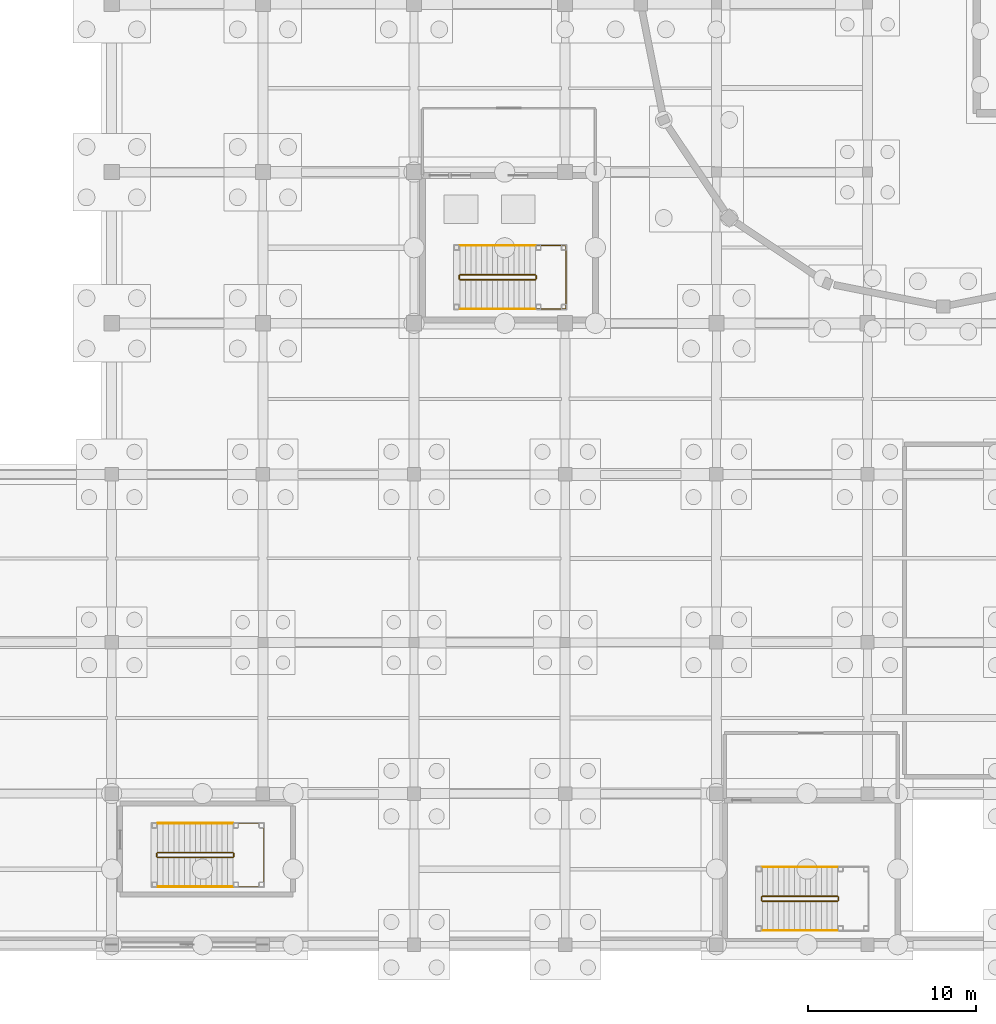
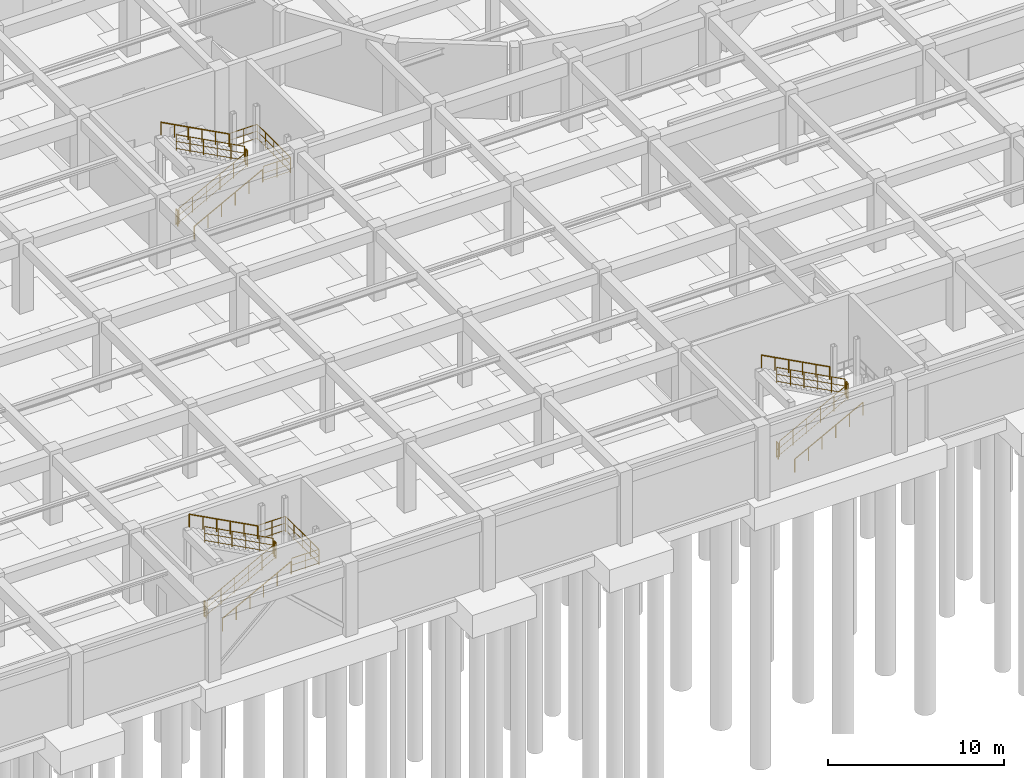
# One storey, part 53 of 62: 20 railings.
"""IFC4 building model written with IfcOpenShell, lengths in metres."""

import ifcopenshell
import ifcopenshell.guid

model = None  # the IFC model being written
_history = None  # IfcOwnerHistory: only IFC2X3 demands one
_inside = {}  # id of a spatial element -> (the spatial element, [elements in it])
_under = {}  # id of a project, library or spatial element -> (it, [spatial elements below it])
_declared = {}  # id of a project -> (the project, [libraries it declares])
_typed = {}  # id of a type object -> (the type object, [elements of that type])
_made_of = {}  # id of a material, layer set ... -> (it, [elements and type objects made of it])


def new_model(schema):
    """Start an empty IFC model of exactly this schema.

    Asked for "IFC4X3", IfcOpenShell would pick the latest addendum, in which some entities
    have other attributes; the version numbers below select the first issue.
    IFC2X3 requires an IfcOwnerHistory on every rooted entity: one is made here for all.
    """
    global model, _history
    if schema == "IFC4X3":
        model = ifcopenshell.file(schema_version=(4, 3, 0, 0))
    else:
        model = ifcopenshell.file(schema=schema)
    _inside.clear()
    _under.clear()
    _declared.clear()
    _typed.clear()
    _made_of.clear()
    _history = None
    if model.schema == "IFC2X3":
        org = make("IfcOrganization", Name="unknown")
        user = make(
            "IfcPersonAndOrganization",
            ThePerson=make("IfcPerson", FamilyName="unknown"),
            TheOrganization=org,
        )
        app = make(
            "IfcApplication",
            ApplicationDeveloper=org,
            Version="unknown",
            ApplicationFullName="unknown",
            ApplicationIdentifier="unknown",
        )
        _history = make(
            "IfcOwnerHistory",
            OwningUser=user,
            OwningApplication=app,
            ChangeAction="ADDED",
            CreationDate=0,
        )
    return model


def make(cls, **values):
    """One entity of the class cls with the attributes given. An attribute that is None is left unset."""
    return model.create_entity(
        cls, **{name: value for name, value in values.items() if value is not None}
    )


def rooted(cls, **values):
    """An entity with a GlobalId (a new one), such as an element, a storey or a relation."""
    return make(cls, GlobalId=ifcopenshell.guid.new(), OwnerHistory=_history, **values)


def si_unit(unit_type, name, prefix=None):
    """IfcSIUnit, for example si_unit("LENGTHUNIT", "METRE", prefix="MILLI")."""
    return make("IfcSIUnit", UnitType=unit_type, Prefix=prefix, Name=name)


def assignment(units):
    """IfcUnitAssignment: the units of a project."""
    return None if units is None else make("IfcUnitAssignment", Units=units)


def point(xyz):
    """IfcCartesianPoint."""
    return None if xyz is None else make("IfcCartesianPoint", Coordinates=xyz)


def direction(xyz):
    """IfcDirection."""
    return None if xyz is None else make("IfcDirection", DirectionRatios=xyz)


def frame(location, z_axis=None, x_axis=None):
    """IfcAxis2Placement3D, a coordinate frame: its origin and axes. An axis left out is left unset."""
    return make(
        "IfcAxis2Placement3D",
        Location=point(location),
        Axis=direction(z_axis),
        RefDirection=direction(x_axis),
    )


def frame_2d(location, x_axis=None):
    """IfcAxis2Placement2D, a coordinate frame in the plane: its origin and x axis."""
    return make(
        "IfcAxis2Placement2D", Location=point(location), RefDirection=direction(x_axis)
    )


def origin():
    """The frame at (0, 0, 0) with its axes left unset."""
    return frame((0.0, 0.0, 0.0))


def origin_2d():
    """The frame at (0, 0) in the plane with its x axis left unset."""
    return frame_2d((0.0, 0.0))


def place(relative_to, where):
    """IfcLocalPlacement: puts the frame where relative to a parent placement (None: the world)."""
    return make(
        "IfcLocalPlacement", PlacementRelTo=relative_to, RelativePlacement=where
    )


def context(
    kind, dimensions, precision=None, world=None, true_north=None, identifier=None
):
    """IfcGeometricRepresentationContext, for example the 3D "Model" context."""
    return make(
        "IfcGeometricRepresentationContext",
        ContextIdentifier=identifier,
        ContextType=kind,
        CoordinateSpaceDimension=dimensions,
        Precision=precision,
        WorldCoordinateSystem=world,
        TrueNorth=true_north,
    )


def subcontext(parent, identifier, kind, view, scale=None):
    """IfcGeometricRepresentationSubContext, for example "Body" below "Model"."""
    return make(
        "IfcGeometricRepresentationSubContext",
        ContextIdentifier=identifier,
        ContextType=kind,
        ParentContext=parent,
        TargetScale=scale,
        TargetView=view,
    )


def project(units=None, contexts=None):
    """IfcProject with its units and contexts."""
    return rooted(
        "IfcProject",
        Name="project",
        RepresentationContexts=contexts,
        UnitsInContext=assignment(units),
    )


def spatial(cls, under=None, at=None, **own):
    """A site, building, storey or space (cls), placed at a placement, below another one or the project."""
    s = rooted(cls, ObjectPlacement=at, **own)
    if under is not None:
        _under.setdefault(under.id(), (under, []))[1].append(s)
    return s


def profile(cls, at=None, kind="AREA", **sizes):
    """A parametric profile (cls). Its sizes go by their IFC names, for example OverallWidth=200.0."""
    return make(cls, ProfileType=kind, Position=at, **sizes)


def circle(**sizes):
    """IfcCircleProfileDef."""
    return profile("IfcCircleProfileDef", **sizes)


def extrude(swept, where, along, depth):
    """IfcExtrudedAreaSolid: the profile swept, set in the frame where, extruded along a direction by depth."""
    return make(
        "IfcExtrudedAreaSolid",
        SweptArea=swept,
        Position=where,
        ExtrudedDirection=direction(along),
        Depth=depth,
    )


def shape(context_of_items, identifier, shape_type, items):
    """IfcShapeRepresentation: the items that make up one representation, for example the "Body"."""
    return make(
        "IfcShapeRepresentation",
        ContextOfItems=context_of_items,
        RepresentationIdentifier=identifier,
        RepresentationType=shape_type,
        Items=items,
    )


def material(Name=None, Category=None):
    """IfcMaterial."""
    return make("IfcMaterial", Name=Name, Category=Category)


def made_of(thing, what):
    """Note that an element or type object is made of a material, layer set ...; save() writes the relation."""
    if what is not None:
        _made_of.setdefault(what.id(), (what, []))[1].append(thing)
    return thing


def type_object(cls, material=None, **own):
    """A type object (cls), such as IfcWallType, which elements share."""
    return made_of(rooted(cls, **own), material)


def element(
    cls,
    number,
    at=None,
    inside=None,
    cuts=None,
    type_object=None,
    material=None,
    context=None,
    identifier="Body",
    shape_type=None,
    held_by="IfcProductDefinitionShape",
    body=None,
    shapes=None,
    **own,
):
    """One element of the class cls, such as IfcWall. Its Tag is "e" and its number.

    at: its placement. inside: the storey or other place that contains it. cuts: it is an
    opening in that element (IfcRelVoidsElement). A single representation is given by context,
    identifier, shape_type and body (its items); several are given by shapes. held_by: the class
    of the entity that holds the representations. save() writes the other relations.
    """
    e = rooted(cls, Tag="e%d" % number, ObjectPlacement=at, **own)
    if body is not None:
        shapes = [shape(context, identifier, shape_type, body)]
    if shapes is not None:
        e.Representation = make(held_by, Representations=shapes)
    if inside is not None:
        _inside.setdefault(inside.id(), (inside, []))[1].append(e)
    if cuts is not None:
        rooted(
            "IfcRelVoidsElement", RelatingBuildingElement=cuts, RelatedOpeningElement=e
        )
    if type_object is not None:
        _typed.setdefault(type_object.id(), (type_object, []))[1].append(e)
    return made_of(e, material)


def aggregate(whole, parts):
    """IfcRelAggregates: a whole, such as a stair, and the parts it consists of."""
    return rooted("IfcRelAggregates", RelatingObject=whole, RelatedObjects=parts)


def save(model, path):
    """Write the relations noted so far, then the file.

    IfcRelAggregates (storeys below a building ...), IfcRelContainedInSpatialStructure (elements
    in a storey), IfcRelDefinesByType, IfcRelAssociatesMaterial and IfcRelDeclares: one each for
    every whole, place, type object, material and project.
    """
    for whole, parts in _under.values():
        aggregate(whole, parts)
    for where, things in _inside.values():
        rooted(
            "IfcRelContainedInSpatialStructure",
            RelatedElements=things,
            RelatingStructure=where,
        )
    for kind, things in _typed.values():
        rooted("IfcRelDefinesByType", RelatedObjects=things, RelatingType=kind)
    for what, things in _made_of.values():
        rooted("IfcRelAssociatesMaterial", RelatedObjects=things, RelatingMaterial=what)
    for by, libraries in _declared.values():
        rooted("IfcRelDeclares", RelatingContext=by, RelatedDefinitions=libraries)
    model.write(path)


model = new_model("IFC4")

# Units and contexts
model_context = context("Model", 3, precision=1e-05, world=origin(), true_north=direction((0.0, 1.0)))
body_context = subcontext(model_context, "Body", "Model", "MODEL_VIEW")
ifc_project = project(units=[si_unit("LENGTHUNIT", "METRE"), si_unit("AREAUNIT", "SQUARE_METRE"), si_unit("VOLUMEUNIT", "CUBIC_METRE"), si_unit("PLANEANGLEUNIT", "RADIAN"), si_unit("MASSUNIT", "GRAM", prefix="KILO")], contexts=[model_context])

# Site, building, storey
site_placement = place(None, origin())
site = spatial("IfcSite", under=ifc_project, at=site_placement, CompositionType="ELEMENT")
building_placement = place(site_placement, origin())
building = spatial("IfcBuilding", under=site, at=building_placement, Name="Miravela Opera House", CompositionType="ELEMENT")
storey_placement = place(building_placement, frame((0.0, 0.0, -5.10009765625)))
storey = spatial("IfcBuildingStorey", under=building, at=storey_placement, Name="B01", CompositionType="ELEMENT", Elevation=-5.10009765625)

# Railings
ifc_material_1 = material(Name="Brushed bronze continuous stair handrail")
railing_type_1 = type_object("IfcRailingType", Name="ARC-RAIL-HAND-900", PredefinedType="HANDRAIL", material=ifc_material_1)
railing_1_placement = place(storey_placement, frame((47.739990234375, 37.85009765625, 0.170166015625)))
element("IfcRailing", 1, at=railing_1_placement, inside=storey, type_object=railing_type_1, Name="B01 ST-02 stair handrail 1", PredefinedType="HANDRAIL", context=body_context, shape_type="SweptSolid", body=[
    extrude(circle(Radius=0.02392578125, at=origin_2d()), frame((0.0, 0.0, 0.8759765625), z_axis=(0.883124442951, 0.0, 0.469138804899), x_axis=(0.0, 1.0, 0.0)), (0.0, 0.0, 1.0), 5.07275390625),
    extrude(circle(Radius=0.02099609375, at=origin_2d()), origin(), (0.0, 0.0, 1.0), 0.851806640625),
    extrude(circle(Radius=0.02099609375, at=origin_2d()), frame((0.89599609375, 0.0, 0.47607421875)), (0.0, 0.0, 1.0), 0.851806640625),
    extrude(circle(Radius=0.02099609375, at=origin_2d()), frame((1.7919921875, 0.0, 0.951904296875)), (0.0, 0.0, 1.0), 0.851806640625),
    extrude(circle(Radius=0.02099609375, at=origin_2d()), frame((2.68798828125, 0.0, 1.427978515625)), (0.0, 0.0, 1.0), 0.851806640625),
    extrude(circle(Radius=0.02099609375, at=origin_2d()), frame((3.583984375, 0.0, 1.90380859375)), (0.0, 0.0, 1.0), 0.851806640625),
    extrude(circle(Radius=0.02099609375, at=origin_2d()), frame((4.47998046875, 0.0, 2.3798828125)), (0.0, 0.0, 1.0), 0.851806640625),
])
railing_2_placement = place(storey_placement, frame((52.219970703125, 41.6298828125, 2.72021484375)))
element("IfcRailing", 2, at=railing_2_placement, inside=storey, type_object=railing_type_1, Name="B01 ST-02 stair handrail 2", PredefinedType="HANDRAIL", context=body_context, shape_type="SweptSolid", body=[
    extrude(circle(Radius=0.02392578125, at=origin_2d()), frame((0.0, 0.0, 0.8759765625), z_axis=(-0.883124442951, 0.0, 0.469138804899), x_axis=(0.0, -1.0, 0.0)), (0.0, 0.0, 1.0), 5.07275390625),
    extrude(circle(Radius=0.02099609375, at=origin_2d()), origin(), (0.0, 0.0, 1.0), 0.851806640625),
    extrude(circle(Radius=0.02099609375, at=origin_2d()), frame((-0.89599609375, 0.0, 0.47607421875)), (0.0, 0.0, 1.0), 0.851806640625),
    extrude(circle(Radius=0.02099609375, at=origin_2d()), frame((-1.7919921875, 0.0, 0.951904296875)), (0.0, 0.0, 1.0), 0.851806640625),
    extrude(circle(Radius=0.02099609375, at=origin_2d()), frame((-2.68798828125, 0.0, 1.427978515625)), (0.0, 0.0, 1.0), 0.851806640625),
    extrude(circle(Radius=0.02099609375, at=origin_2d()), frame((-3.583984375, 0.0, 1.90380859375)), (0.0, 0.0, 1.0), 0.851806640625),
    extrude(circle(Radius=0.02099609375, at=origin_2d()), frame((-4.47998046875, 0.0, 2.3798828125)), (0.0, 0.0, 1.0), 0.851806640625),
])
railing_3_placement = place(storey_placement, frame((65.739990234375, 0.85009765625, 0.170166015625)))
element("IfcRailing", 3, at=railing_3_placement, inside=storey, type_object=railing_type_1, Name="B01 ST-06 stair handrail 1", PredefinedType="HANDRAIL", context=body_context, shape_type="SweptSolid", body=[
    extrude(circle(Radius=0.02392578125, at=origin_2d()), frame((0.0, 0.0, 0.8759765625), z_axis=(0.883124442951, 0.0, 0.469138804899), x_axis=(0.0, 1.0, 0.0)), (0.0, 0.0, 1.0), 5.07275390625),
    extrude(circle(Radius=0.02099609375, at=origin_2d()), origin(), (0.0, 0.0, 1.0), 0.851806640625),
    extrude(circle(Radius=0.02099609375, at=origin_2d()), frame((0.89599609375, 0.0, 0.47607421875)), (0.0, 0.0, 1.0), 0.851806640625),
    extrude(circle(Radius=0.02099609375, at=origin_2d()), frame((1.7919921875, 0.0, 0.951904296875)), (0.0, 0.0, 1.0), 0.851806640625),
    extrude(circle(Radius=0.02099609375, at=origin_2d()), frame((2.68798828125, 0.0, 1.427978515625)), (0.0, 0.0, 1.0), 0.851806640625),
    extrude(circle(Radius=0.02099609375, at=origin_2d()), frame((3.583984375, 0.0, 1.90380859375)), (0.0, 0.0, 1.0), 0.851806640625),
    extrude(circle(Radius=0.02099609375, at=origin_2d()), frame((4.47998046875, 0.0, 2.3798828125)), (0.0, 0.0, 1.0), 0.851806640625),
])
railing_4_placement = place(storey_placement, frame((70.219970703125, 4.6298828125, 2.72021484375)))
element("IfcRailing", 4, at=railing_4_placement, inside=storey, type_object=railing_type_1, Name="B01 ST-06 stair handrail 2", PredefinedType="HANDRAIL", context=body_context, shape_type="SweptSolid", body=[
    extrude(circle(Radius=0.02392578125, at=origin_2d()), frame((0.0, 0.0, 0.8759765625), z_axis=(-0.883124442951, 0.0, 0.469138804899), x_axis=(0.0, -1.0, 0.0)), (0.0, 0.0, 1.0), 5.07275390625),
    extrude(circle(Radius=0.02099609375, at=origin_2d()), origin(), (0.0, 0.0, 1.0), 0.851806640625),
    extrude(circle(Radius=0.02099609375, at=origin_2d()), frame((-0.89599609375, 0.0, 0.47607421875)), (0.0, 0.0, 1.0), 0.851806640625),
    extrude(circle(Radius=0.02099609375, at=origin_2d()), frame((-1.7919921875, 0.0, 0.951904296875)), (0.0, 0.0, 1.0), 0.851806640625),
    extrude(circle(Radius=0.02099609375, at=origin_2d()), frame((-2.68798828125, 0.0, 1.427978515625)), (0.0, 0.0, 1.0), 0.851806640625),
    extrude(circle(Radius=0.02099609375, at=origin_2d()), frame((-3.583984375, 0.0, 1.90380859375)), (0.0, 0.0, 1.0), 0.851806640625),
    extrude(circle(Radius=0.02099609375, at=origin_2d()), frame((-4.47998046875, 0.0, 2.3798828125)), (0.0, 0.0, 1.0), 0.851806640625),
])
railing_5_placement = place(storey_placement, frame((29.739990234375, 3.449951171875, 0.170166015625)))
element("IfcRailing", 5, at=railing_5_placement, inside=storey, type_object=railing_type_1, Name="B01 ST-08 stair handrail 1", PredefinedType="HANDRAIL", context=body_context, shape_type="SweptSolid", body=[
    extrude(circle(Radius=0.02392578125, at=origin_2d()), frame((0.0, 0.0, 0.8759765625), z_axis=(0.883124442951, 0.0, 0.469138804899), x_axis=(0.0, 1.0, 0.0)), (0.0, 0.0, 1.0), 5.07275390625),
    extrude(circle(Radius=0.02099609375, at=origin_2d()), origin(), (0.0, 0.0, 1.0), 0.851806640625),
    extrude(circle(Radius=0.02099609375, at=origin_2d()), frame((0.89599609375, 0.0, 0.47607421875)), (0.0, 0.0, 1.0), 0.851806640625),
    extrude(circle(Radius=0.02099609375, at=origin_2d()), frame((1.7919921875, 0.0, 0.951904296875)), (0.0, 0.0, 1.0), 0.851806640625),
    extrude(circle(Radius=0.02099609375, at=origin_2d()), frame((2.68798828125, 0.0, 1.427978515625)), (0.0, 0.0, 1.0), 0.851806640625),
    extrude(circle(Radius=0.02099609375, at=origin_2d()), frame((3.583984375, 0.0, 1.90380859375)), (0.0, 0.0, 1.0), 0.851806640625),
    extrude(circle(Radius=0.02099609375, at=origin_2d()), frame((4.47998046875, 0.0, 2.3798828125)), (0.0, 0.0, 1.0), 0.851806640625),
])
railing_6_placement = place(storey_placement, frame((34.219970703125, 7.22998046875, 2.72021484375)))
element("IfcRailing", 6, at=railing_6_placement, inside=storey, type_object=railing_type_1, Name="B01 ST-08 stair handrail 2", PredefinedType="HANDRAIL", context=body_context, shape_type="SweptSolid", body=[
    extrude(circle(Radius=0.02392578125, at=origin_2d()), frame((0.0, 0.0, 0.8759765625), z_axis=(-0.883124442951, 0.0, 0.469138804899), x_axis=(0.0, -1.0, 0.0)), (0.0, 0.0, 1.0), 5.07275390625),
    extrude(circle(Radius=0.02099609375, at=origin_2d()), origin(), (0.0, 0.0, 1.0), 0.851806640625),
    extrude(circle(Radius=0.02099609375, at=origin_2d()), frame((-0.89599609375, 0.0, 0.47607421875)), (0.0, 0.0, 1.0), 0.851806640625),
    extrude(circle(Radius=0.02099609375, at=origin_2d()), frame((-1.7919921875, 0.0, 0.951904296875)), (0.0, 0.0, 1.0), 0.851806640625),
    extrude(circle(Radius=0.02099609375, at=origin_2d()), frame((-2.68798828125, 0.0, 1.427978515625)), (0.0, 0.0, 1.0), 0.851806640625),
    extrude(circle(Radius=0.02099609375, at=origin_2d()), frame((-3.583984375, 0.0, 1.90380859375)), (0.0, 0.0, 1.0), 0.851806640625),
    extrude(circle(Radius=0.02099609375, at=origin_2d()), frame((-4.47998046875, 0.0, 2.3798828125)), (0.0, 0.0, 1.0), 0.851806640625),
])
ifc_material_2 = material(Name="Painted wrought-iron stair guardrail")
railing_type_2 = type_object("IfcRailingType", Name="ARC-RAIL-STAIR-GUARD", PredefinedType="GUARDRAIL", material=ifc_material_2)
railing_7_placement = place(storey_placement, frame((47.739990234375, 39.590087890625, 0.170166015625)))
element("IfcRailing", 7, at=railing_7_placement, inside=storey, type_object=railing_type_2, Name="B01 ST-02 stair guard 1", PredefinedType="GUARDRAIL", context=body_context, shape_type="SweptSolid", body=[
    extrude(circle(Radius=0.02392578125, at=origin_2d()), frame((0.0, 0.0, 1.076171875), z_axis=(0.883124442951, 0.0, 0.469138804899), x_axis=(0.0, 1.0, 0.0)), (0.0, 0.0, 1.0), 5.07275390625),
    extrude(circle(Radius=0.01611328125, at=origin_2d()), frame((0.0, 0.0, 0.60498046875), z_axis=(0.883124442951, 0.0, 0.469138804899), x_axis=(0.0, 1.0, 0.0)), (0.0, 0.0, 1.0), 5.07275390625),
    extrude(circle(Radius=0.01611328125, at=origin_2d()), frame((0.0, 0.0, 0.1201171875), z_axis=(0.883124442951, 0.0, 0.469138804899), x_axis=(0.0, 1.0, 0.0)), (0.0, 0.0, 1.0), 5.07275390625),
    extrude(circle(Radius=0.02099609375, at=origin_2d()), origin(), (0.0, 0.0, 1.0), 1.052001953125),
    extrude(circle(Radius=0.02099609375, at=origin_2d()), frame((0.89599609375, 0.0, 0.47607421875)), (0.0, 0.0, 1.0), 1.052001953125),
    extrude(circle(Radius=0.02099609375, at=origin_2d()), frame((1.7919921875, 0.0, 0.951904296875)), (0.0, 0.0, 1.0), 1.052001953125),
    extrude(circle(Radius=0.02099609375, at=origin_2d()), frame((2.68798828125, 0.0, 1.427978515625)), (0.0, 0.0, 1.0), 1.052001953125),
    extrude(circle(Radius=0.02099609375, at=origin_2d()), frame((3.583984375, 0.0, 1.90380859375)), (0.0, 0.0, 1.0), 1.052001953125),
    extrude(circle(Radius=0.02099609375, at=origin_2d()), frame((4.47998046875, 0.0, 2.3798828125)), (0.0, 0.0, 1.0), 1.052001953125),
])
railing_8_placement = place(storey_placement, frame((52.27001953125, 39.639892578125, 2.550048828125)))
element("IfcRailing", 8, at=railing_8_placement, inside=storey, type_object=railing_type_2, Name="B01 ST-02 stair guard 2", PredefinedType="GUARDRAIL", context=body_context, shape_type="SweptSolid", body=[
    extrude(circle(Radius=0.02392578125, at=origin_2d()), frame((0.0, 0.0, 1.076171875), z_axis=(0.0, 1.0, 0.0), x_axis=(-1.0, 0.0, 0.0)), (0.0, 0.0, 1.0), 0.2001953125),
    extrude(circle(Radius=0.01611328125, at=origin_2d()), frame((0.0, 0.0, 0.60498046875), z_axis=(0.0, 1.0, 0.0), x_axis=(-1.0, 0.0, 0.0)), (0.0, 0.0, 1.0), 0.2001953125),
    extrude(circle(Radius=0.01611328125, at=origin_2d()), frame((0.0, 0.0, 0.1201171875), z_axis=(0.0, 1.0, 0.0), x_axis=(-1.0, 0.0, 0.0)), (0.0, 0.0, 1.0), 0.2001953125),
    extrude(circle(Radius=0.02099609375, at=origin_2d()), origin(), (0.0, 0.0, 1.0), 1.052001953125),
    extrude(circle(Radius=0.02099609375, at=origin_2d()), frame((0.0, 0.2001953125, 0.0)), (0.0, 0.0, 1.0), 1.052001953125),
])
railing_9_placement = place(storey_placement, frame((52.219970703125, 39.889892578125, 2.72021484375)))
element("IfcRailing", 9, at=railing_9_placement, inside=storey, type_object=railing_type_2, Name="B01 ST-02 stair guard 3", PredefinedType="GUARDRAIL", context=body_context, shape_type="SweptSolid", body=[
    extrude(circle(Radius=0.02392578125, at=origin_2d()), frame((0.0, 0.0, 1.076171875), z_axis=(-0.883124442951, 0.0, 0.469138804899), x_axis=(0.0, -1.0, 0.0)), (0.0, 0.0, 1.0), 5.07275390625),
    extrude(circle(Radius=0.01611328125, at=origin_2d()), frame((0.0, 0.0, 0.60498046875), z_axis=(-0.883124442951, 0.0, 0.469138804899), x_axis=(0.0, -1.0, 0.0)), (0.0, 0.0, 1.0), 5.07275390625),
    extrude(circle(Radius=0.01611328125, at=origin_2d()), frame((0.0, 0.0, 0.1201171875), z_axis=(-0.883124442951, 0.0, 0.469138804899), x_axis=(0.0, -1.0, 0.0)), (0.0, 0.0, 1.0), 5.07275390625),
    extrude(circle(Radius=0.02099609375, at=origin_2d()), origin(), (0.0, 0.0, 1.0), 1.052001953125),
    extrude(circle(Radius=0.02099609375, at=origin_2d()), frame((-0.89599609375, 0.0, 0.47607421875)), (0.0, 0.0, 1.0), 1.052001953125),
    extrude(circle(Radius=0.02099609375, at=origin_2d()), frame((-1.7919921875, 0.0, 0.951904296875)), (0.0, 0.0, 1.0), 1.052001953125),
    extrude(circle(Radius=0.02099609375, at=origin_2d()), frame((-2.68798828125, 0.0, 1.427978515625)), (0.0, 0.0, 1.0), 1.052001953125),
    extrude(circle(Radius=0.02099609375, at=origin_2d()), frame((-3.583984375, 0.0, 1.90380859375)), (0.0, 0.0, 1.0), 1.052001953125),
    extrude(circle(Radius=0.02099609375, at=origin_2d()), frame((-4.47998046875, 0.0, 2.3798828125)), (0.0, 0.0, 1.0), 1.052001953125),
])
railing_10_placement = place(storey_placement, frame((47.68994140625, 39.639892578125, 0.0)))
element("IfcRailing", 10, at=railing_10_placement, inside=storey, type_object=railing_type_2, Name="B01 ST-02 stair guard 4", PredefinedType="GUARDRAIL", context=body_context, shape_type="SweptSolid", body=[
    extrude(circle(Radius=0.02392578125, at=origin_2d()), frame((0.0, 0.0, 1.076171875), z_axis=(0.0, 1.0, 0.0), x_axis=(-1.0, 0.0, 0.0)), (0.0, 0.0, 1.0), 0.2001953125),
    extrude(circle(Radius=0.01611328125, at=origin_2d()), frame((0.0, 0.0, 0.60498046875), z_axis=(0.0, 1.0, 0.0), x_axis=(-1.0, 0.0, 0.0)), (0.0, 0.0, 1.0), 0.2001953125),
    extrude(circle(Radius=0.01611328125, at=origin_2d()), frame((0.0, 0.0, 0.1201171875), z_axis=(0.0, 1.0, 0.0), x_axis=(-1.0, 0.0, 0.0)), (0.0, 0.0, 1.0), 0.2001953125),
    extrude(circle(Radius=0.02099609375, at=origin_2d()), origin(), (0.0, 0.0, 1.0), 1.052001953125),
    extrude(circle(Radius=0.02099609375, at=origin_2d()), frame((0.0, 0.2001953125, 0.0)), (0.0, 0.0, 1.0), 1.052001953125),
])
railing_11_placement = place(storey_placement, frame((52.27001953125, 37.85009765625, 2.550048828125)))
element("IfcRailing", 11, at=railing_11_placement, inside=storey, type_object=railing_type_2, Name="Stair ST-02 Half-Landing Perimeter Guard (B01) 0013", PredefinedType="GUARDRAIL", context=body_context, shape_type="SweptSolid", body=[
    extrude(circle(Radius=0.02392578125, at=origin_2d()), frame((0.0, 0.0, 1.076171875), z_axis=(1.0, 0.0, 0.0), x_axis=(0.0, 1.0, 0.0)), (0.0, 0.0, 1.0), 1.780029296875),
    extrude(circle(Radius=0.01611328125, at=origin_2d()), frame((0.0, 0.0, 0.60498046875), z_axis=(1.0, 0.0, 0.0), x_axis=(0.0, 1.0, 0.0)), (0.0, 0.0, 1.0), 1.780029296875),
    extrude(circle(Radius=0.01611328125, at=origin_2d()), frame((0.0, 0.0, 0.1201171875), z_axis=(1.0, 0.0, 0.0), x_axis=(0.0, 1.0, 0.0)), (0.0, 0.0, 1.0), 1.780029296875),
    extrude(circle(Radius=0.02392578125, at=origin_2d()), frame((1.780029296875, 0.0, 1.076171875), z_axis=(0.0, 1.0, 0.0), x_axis=(-1.0, 0.0, 0.0)), (0.0, 0.0, 1.0), 3.77978515625),
    extrude(circle(Radius=0.01611328125, at=origin_2d()), frame((1.780029296875, 0.0, 0.60498046875), z_axis=(0.0, 1.0, 0.0), x_axis=(-1.0, 0.0, 0.0)), (0.0, 0.0, 1.0), 3.77978515625),
    extrude(circle(Radius=0.01611328125, at=origin_2d()), frame((1.780029296875, 0.0, 0.1201171875), z_axis=(0.0, 1.0, 0.0), x_axis=(-1.0, 0.0, 0.0)), (0.0, 0.0, 1.0), 3.77978515625),
    extrude(circle(Radius=0.02392578125, at=origin_2d()), frame((1.780029296875, 3.77978515625, 1.076171875), z_axis=(-1.0, 0.0, 0.0), x_axis=(0.0, -1.0, 0.0)), (0.0, 0.0, 1.0), 1.780029296875),
    extrude(circle(Radius=0.01611328125, at=origin_2d()), frame((1.780029296875, 3.77978515625, 0.60498046875), z_axis=(-1.0, 0.0, 0.0), x_axis=(0.0, -1.0, 0.0)), (0.0, 0.0, 1.0), 1.780029296875),
    extrude(circle(Radius=0.01611328125, at=origin_2d()), frame((1.780029296875, 3.77978515625, 0.1201171875), z_axis=(-1.0, 0.0, 0.0), x_axis=(0.0, -1.0, 0.0)), (0.0, 0.0, 1.0), 1.780029296875),
    extrude(circle(Radius=0.02099609375, at=origin_2d()), origin(), (0.0, 0.0, 1.0), 1.052001953125),
    extrude(circle(Radius=0.02099609375, at=origin_2d()), frame((0.89013671875, 0.0, 0.0)), (0.0, 0.0, 1.0), 1.052001953125),
    extrude(circle(Radius=0.02099609375, at=origin_2d()), frame((1.780029296875, 0.0, 0.0)), (0.0, 0.0, 1.0), 1.052001953125),
    extrude(circle(Radius=0.02099609375, at=origin_2d()), frame((1.780029296875, 0.94482421875, 0.0)), (0.0, 0.0, 1.0), 1.052001953125),
    extrude(circle(Radius=0.02099609375, at=origin_2d()), frame((1.780029296875, 1.889892578125, 0.0)), (0.0, 0.0, 1.0), 1.052001953125),
    extrude(circle(Radius=0.02099609375, at=origin_2d()), frame((1.780029296875, 2.8349609375, 0.0)), (0.0, 0.0, 1.0), 1.052001953125),
    extrude(circle(Radius=0.02099609375, at=origin_2d()), frame((1.780029296875, 3.77978515625, 0.0)), (0.0, 0.0, 1.0), 1.052001953125),
    extrude(circle(Radius=0.02099609375, at=origin_2d()), frame((0.89013671875, 3.77978515625, 0.0)), (0.0, 0.0, 1.0), 1.052001953125),
    extrude(circle(Radius=0.02099609375, at=origin_2d()), frame((0.0, 3.77978515625, 0.0)), (0.0, 0.0, 1.0), 1.052001953125),
])
railing_12_placement = place(storey_placement, frame((65.739990234375, 2.590087890625, 0.170166015625)))
element("IfcRailing", 12, at=railing_12_placement, inside=storey, type_object=railing_type_2, Name="B01 ST-06 stair guard 1", PredefinedType="GUARDRAIL", context=body_context, shape_type="SweptSolid", body=[
    extrude(circle(Radius=0.02392578125, at=origin_2d()), frame((0.0, 0.0, 1.076171875), z_axis=(0.883124442951, 0.0, 0.469138804899), x_axis=(0.0, 1.0, 0.0)), (0.0, 0.0, 1.0), 5.07275390625),
    extrude(circle(Radius=0.01611328125, at=origin_2d()), frame((0.0, 0.0, 0.60498046875), z_axis=(0.883124442951, 0.0, 0.469138804899), x_axis=(0.0, 1.0, 0.0)), (0.0, 0.0, 1.0), 5.07275390625),
    extrude(circle(Radius=0.01611328125, at=origin_2d()), frame((0.0, 0.0, 0.1201171875), z_axis=(0.883124442951, 0.0, 0.469138804899), x_axis=(0.0, 1.0, 0.0)), (0.0, 0.0, 1.0), 5.07275390625),
    extrude(circle(Radius=0.02099609375, at=origin_2d()), origin(), (0.0, 0.0, 1.0), 1.052001953125),
    extrude(circle(Radius=0.02099609375, at=origin_2d()), frame((0.89599609375, 0.0, 0.47607421875)), (0.0, 0.0, 1.0), 1.052001953125),
    extrude(circle(Radius=0.02099609375, at=origin_2d()), frame((1.7919921875, 0.0, 0.951904296875)), (0.0, 0.0, 1.0), 1.052001953125),
    extrude(circle(Radius=0.02099609375, at=origin_2d()), frame((2.68798828125, 0.0, 1.427978515625)), (0.0, 0.0, 1.0), 1.052001953125),
    extrude(circle(Radius=0.02099609375, at=origin_2d()), frame((3.583984375, 0.0, 1.90380859375)), (0.0, 0.0, 1.0), 1.052001953125),
    extrude(circle(Radius=0.02099609375, at=origin_2d()), frame((4.47998046875, 0.0, 2.3798828125)), (0.0, 0.0, 1.0), 1.052001953125),
])
railing_13_placement = place(storey_placement, frame((70.27001953125, 2.639892578125, 2.550048828125)))
element("IfcRailing", 13, at=railing_13_placement, inside=storey, type_object=railing_type_2, Name="B01 ST-06 stair guard 2", PredefinedType="GUARDRAIL", context=body_context, shape_type="SweptSolid", body=[
    extrude(circle(Radius=0.02392578125, at=origin_2d()), frame((0.0, 0.0, 1.076171875), z_axis=(0.0, 1.0, 0.0), x_axis=(-1.0, 0.0, 0.0)), (0.0, 0.0, 1.0), 0.2001953125),
    extrude(circle(Radius=0.01611328125, at=origin_2d()), frame((0.0, 0.0, 0.60498046875), z_axis=(0.0, 1.0, 0.0), x_axis=(-1.0, 0.0, 0.0)), (0.0, 0.0, 1.0), 0.2001953125),
    extrude(circle(Radius=0.01611328125, at=origin_2d()), frame((0.0, 0.0, 0.1201171875), z_axis=(0.0, 1.0, 0.0), x_axis=(-1.0, 0.0, 0.0)), (0.0, 0.0, 1.0), 0.2001953125),
    extrude(circle(Radius=0.02099609375, at=origin_2d()), origin(), (0.0, 0.0, 1.0), 1.052001953125),
    extrude(circle(Radius=0.02099609375, at=origin_2d()), frame((0.0, 0.2001953125, 0.0)), (0.0, 0.0, 1.0), 1.052001953125),
])
railing_14_placement = place(storey_placement, frame((70.219970703125, 2.889892578125, 2.72021484375)))
element("IfcRailing", 14, at=railing_14_placement, inside=storey, type_object=railing_type_2, Name="B01 ST-06 stair guard 3", PredefinedType="GUARDRAIL", context=body_context, shape_type="SweptSolid", body=[
    extrude(circle(Radius=0.02392578125, at=origin_2d()), frame((0.0, 0.0, 1.076171875), z_axis=(-0.883124442951, 0.0, 0.469138804899), x_axis=(0.0, -1.0, 0.0)), (0.0, 0.0, 1.0), 5.07275390625),
    extrude(circle(Radius=0.01611328125, at=origin_2d()), frame((0.0, 0.0, 0.60498046875), z_axis=(-0.883124442951, 0.0, 0.469138804899), x_axis=(0.0, -1.0, 0.0)), (0.0, 0.0, 1.0), 5.07275390625),
    extrude(circle(Radius=0.01611328125, at=origin_2d()), frame((0.0, 0.0, 0.1201171875), z_axis=(-0.883124442951, 0.0, 0.469138804899), x_axis=(0.0, -1.0, 0.0)), (0.0, 0.0, 1.0), 5.07275390625),
    extrude(circle(Radius=0.02099609375, at=origin_2d()), origin(), (0.0, 0.0, 1.0), 1.052001953125),
    extrude(circle(Radius=0.02099609375, at=origin_2d()), frame((-0.89599609375, 0.0, 0.47607421875)), (0.0, 0.0, 1.0), 1.052001953125),
    extrude(circle(Radius=0.02099609375, at=origin_2d()), frame((-1.7919921875, 0.0, 0.951904296875)), (0.0, 0.0, 1.0), 1.052001953125),
    extrude(circle(Radius=0.02099609375, at=origin_2d()), frame((-2.68798828125, 0.0, 1.427978515625)), (0.0, 0.0, 1.0), 1.052001953125),
    extrude(circle(Radius=0.02099609375, at=origin_2d()), frame((-3.583984375, 0.0, 1.90380859375)), (0.0, 0.0, 1.0), 1.052001953125),
    extrude(circle(Radius=0.02099609375, at=origin_2d()), frame((-4.47998046875, 0.0, 2.3798828125)), (0.0, 0.0, 1.0), 1.052001953125),
])
railing_15_placement = place(storey_placement, frame((65.68994140625, 2.639892578125, 0.0)))
element("IfcRailing", 15, at=railing_15_placement, inside=storey, type_object=railing_type_2, Name="B01 ST-06 stair guard 4", PredefinedType="GUARDRAIL", context=body_context, shape_type="SweptSolid", body=[
    extrude(circle(Radius=0.02392578125, at=origin_2d()), frame((0.0, 0.0, 1.076171875), z_axis=(0.0, 1.0, 0.0), x_axis=(-1.0, 0.0, 0.0)), (0.0, 0.0, 1.0), 0.2001953125),
    extrude(circle(Radius=0.01611328125, at=origin_2d()), frame((0.0, 0.0, 0.60498046875), z_axis=(0.0, 1.0, 0.0), x_axis=(-1.0, 0.0, 0.0)), (0.0, 0.0, 1.0), 0.2001953125),
    extrude(circle(Radius=0.01611328125, at=origin_2d()), frame((0.0, 0.0, 0.1201171875), z_axis=(0.0, 1.0, 0.0), x_axis=(-1.0, 0.0, 0.0)), (0.0, 0.0, 1.0), 0.2001953125),
    extrude(circle(Radius=0.02099609375, at=origin_2d()), origin(), (0.0, 0.0, 1.0), 1.052001953125),
    extrude(circle(Radius=0.02099609375, at=origin_2d()), frame((0.0, 0.2001953125, 0.0)), (0.0, 0.0, 1.0), 1.052001953125),
])
railing_16_placement = place(storey_placement, frame((29.739990234375, 5.18994140625, 0.170166015625)))
element("IfcRailing", 16, at=railing_16_placement, inside=storey, type_object=railing_type_2, Name="B01 ST-08 stair guard 1", PredefinedType="GUARDRAIL", context=body_context, shape_type="SweptSolid", body=[
    extrude(circle(Radius=0.02392578125, at=origin_2d()), frame((0.0, 0.0, 1.076171875), z_axis=(0.883124442951, 0.0, 0.469138804899), x_axis=(0.0, 1.0, 0.0)), (0.0, 0.0, 1.0), 5.07275390625),
    extrude(circle(Radius=0.01611328125, at=origin_2d()), frame((0.0, 0.0, 0.60498046875), z_axis=(0.883124442951, 0.0, 0.469138804899), x_axis=(0.0, 1.0, 0.0)), (0.0, 0.0, 1.0), 5.07275390625),
    extrude(circle(Radius=0.01611328125, at=origin_2d()), frame((0.0, 0.0, 0.1201171875), z_axis=(0.883124442951, 0.0, 0.469138804899), x_axis=(0.0, 1.0, 0.0)), (0.0, 0.0, 1.0), 5.07275390625),
    extrude(circle(Radius=0.02099609375, at=origin_2d()), origin(), (0.0, 0.0, 1.0), 1.052001953125),
    extrude(circle(Radius=0.02099609375, at=origin_2d()), frame((0.89599609375, 0.0, 0.47607421875)), (0.0, 0.0, 1.0), 1.052001953125),
    extrude(circle(Radius=0.02099609375, at=origin_2d()), frame((1.7919921875, 0.0, 0.951904296875)), (0.0, 0.0, 1.0), 1.052001953125),
    extrude(circle(Radius=0.02099609375, at=origin_2d()), frame((2.68798828125, 0.0, 1.427978515625)), (0.0, 0.0, 1.0), 1.052001953125),
    extrude(circle(Radius=0.02099609375, at=origin_2d()), frame((3.583984375, 0.0, 1.90380859375)), (0.0, 0.0, 1.0), 1.052001953125),
    extrude(circle(Radius=0.02099609375, at=origin_2d()), frame((4.47998046875, 0.0, 2.3798828125)), (0.0, 0.0, 1.0), 1.052001953125),
])
railing_17_placement = place(storey_placement, frame((34.27001953125, 5.239990234375, 2.550048828125)))
element("IfcRailing", 17, at=railing_17_placement, inside=storey, type_object=railing_type_2, Name="B01 ST-08 stair guard 2", PredefinedType="GUARDRAIL", context=body_context, shape_type="SweptSolid", body=[
    extrude(circle(Radius=0.02392578125, at=origin_2d()), frame((0.0, 0.0, 1.076171875), z_axis=(0.0, 1.0, 0.0), x_axis=(-1.0, 0.0, 0.0)), (0.0, 0.0, 1.0), 0.199951171875),
    extrude(circle(Radius=0.01611328125, at=origin_2d()), frame((0.0, 0.0, 0.60498046875), z_axis=(0.0, 1.0, 0.0), x_axis=(-1.0, 0.0, 0.0)), (0.0, 0.0, 1.0), 0.199951171875),
    extrude(circle(Radius=0.01611328125, at=origin_2d()), frame((0.0, 0.0, 0.1201171875), z_axis=(0.0, 1.0, 0.0), x_axis=(-1.0, 0.0, 0.0)), (0.0, 0.0, 1.0), 0.199951171875),
    extrude(circle(Radius=0.02099609375, at=origin_2d()), origin(), (0.0, 0.0, 1.0), 1.052001953125),
    extrude(circle(Radius=0.02099609375, at=origin_2d()), frame((0.0, 0.199951171875, 0.0)), (0.0, 0.0, 1.0), 1.052001953125),
])
railing_18_placement = place(storey_placement, frame((34.219970703125, 5.489990234375, 2.72021484375)))
element("IfcRailing", 18, at=railing_18_placement, inside=storey, type_object=railing_type_2, Name="B01 ST-08 stair guard 3", PredefinedType="GUARDRAIL", context=body_context, shape_type="SweptSolid", body=[
    extrude(circle(Radius=0.02392578125, at=origin_2d()), frame((0.0, 0.0, 1.076171875), z_axis=(-0.883124442951, 0.0, 0.469138804899), x_axis=(0.0, -1.0, 0.0)), (0.0, 0.0, 1.0), 5.07275390625),
    extrude(circle(Radius=0.01611328125, at=origin_2d()), frame((0.0, 0.0, 0.60498046875), z_axis=(-0.883124442951, 0.0, 0.469138804899), x_axis=(0.0, -1.0, 0.0)), (0.0, 0.0, 1.0), 5.07275390625),
    extrude(circle(Radius=0.01611328125, at=origin_2d()), frame((0.0, 0.0, 0.1201171875), z_axis=(-0.883124442951, 0.0, 0.469138804899), x_axis=(0.0, -1.0, 0.0)), (0.0, 0.0, 1.0), 5.07275390625),
    extrude(circle(Radius=0.02099609375, at=origin_2d()), origin(), (0.0, 0.0, 1.0), 1.052001953125),
    extrude(circle(Radius=0.02099609375, at=origin_2d()), frame((-0.89599609375, 0.0, 0.47607421875)), (0.0, 0.0, 1.0), 1.052001953125),
    extrude(circle(Radius=0.02099609375, at=origin_2d()), frame((-1.7919921875, 0.0, 0.951904296875)), (0.0, 0.0, 1.0), 1.052001953125),
    extrude(circle(Radius=0.02099609375, at=origin_2d()), frame((-2.68798828125, 0.0, 1.427978515625)), (0.0, 0.0, 1.0), 1.052001953125),
    extrude(circle(Radius=0.02099609375, at=origin_2d()), frame((-3.583984375, 0.0, 1.90380859375)), (0.0, 0.0, 1.0), 1.052001953125),
    extrude(circle(Radius=0.02099609375, at=origin_2d()), frame((-4.47998046875, 0.0, 2.3798828125)), (0.0, 0.0, 1.0), 1.052001953125),
])
railing_19_placement = place(storey_placement, frame((29.68994140625, 5.239990234375, 0.0)))
element("IfcRailing", 19, at=railing_19_placement, inside=storey, type_object=railing_type_2, Name="B01 ST-08 stair guard 4", PredefinedType="GUARDRAIL", context=body_context, shape_type="SweptSolid", body=[
    extrude(circle(Radius=0.02392578125, at=origin_2d()), frame((0.0, 0.0, 1.076171875), z_axis=(0.0, 1.0, 0.0), x_axis=(-1.0, 0.0, 0.0)), (0.0, 0.0, 1.0), 0.199951171875),
    extrude(circle(Radius=0.01611328125, at=origin_2d()), frame((0.0, 0.0, 0.60498046875), z_axis=(0.0, 1.0, 0.0), x_axis=(-1.0, 0.0, 0.0)), (0.0, 0.0, 1.0), 0.199951171875),
    extrude(circle(Radius=0.01611328125, at=origin_2d()), frame((0.0, 0.0, 0.1201171875), z_axis=(0.0, 1.0, 0.0), x_axis=(-1.0, 0.0, 0.0)), (0.0, 0.0, 1.0), 0.199951171875),
    extrude(circle(Radius=0.02099609375, at=origin_2d()), origin(), (0.0, 0.0, 1.0), 1.052001953125),
    extrude(circle(Radius=0.02099609375, at=origin_2d()), frame((0.0, 0.199951171875, 0.0)), (0.0, 0.0, 1.0), 1.052001953125),
])
railing_20_placement = place(storey_placement, frame((34.27001953125, 3.449951171875, 2.550048828125)))
element("IfcRailing", 20, at=railing_20_placement, inside=storey, type_object=railing_type_2, Name="Stair ST-08 Half-Landing Perimeter Guard (B01) 0075", PredefinedType="GUARDRAIL", context=body_context, shape_type="SweptSolid", body=[
    extrude(circle(Radius=0.02392578125, at=origin_2d()), frame((0.0, 0.0, 1.076171875), z_axis=(1.0, 0.0, 0.0), x_axis=(0.0, 1.0, 0.0)), (0.0, 0.0, 1.0), 1.780029296875),
    extrude(circle(Radius=0.01611328125, at=origin_2d()), frame((0.0, 0.0, 0.60498046875), z_axis=(1.0, 0.0, 0.0), x_axis=(0.0, 1.0, 0.0)), (0.0, 0.0, 1.0), 1.780029296875),
    extrude(circle(Radius=0.01611328125, at=origin_2d()), frame((0.0, 0.0, 0.1201171875), z_axis=(1.0, 0.0, 0.0), x_axis=(0.0, 1.0, 0.0)), (0.0, 0.0, 1.0), 1.780029296875),
    extrude(circle(Radius=0.02392578125, at=origin_2d()), frame((1.780029296875, 0.0, 1.076171875), z_axis=(0.0, 1.0, 0.0), x_axis=(-1.0, 0.0, 0.0)), (0.0, 0.0, 1.0), 3.780029296875),
    extrude(circle(Radius=0.01611328125, at=origin_2d()), frame((1.780029296875, 0.0, 0.60498046875), z_axis=(0.0, 1.0, 0.0), x_axis=(-1.0, 0.0, 0.0)), (0.0, 0.0, 1.0), 3.780029296875),
    extrude(circle(Radius=0.01611328125, at=origin_2d()), frame((1.780029296875, 0.0, 0.1201171875), z_axis=(0.0, 1.0, 0.0), x_axis=(-1.0, 0.0, 0.0)), (0.0, 0.0, 1.0), 3.780029296875),
    extrude(circle(Radius=0.02392578125, at=origin_2d()), frame((1.780029296875, 3.780029296875, 1.076171875), z_axis=(-1.0, 0.0, 0.0), x_axis=(0.0, -1.0, 0.0)), (0.0, 0.0, 1.0), 1.780029296875),
    extrude(circle(Radius=0.01611328125, at=origin_2d()), frame((1.780029296875, 3.780029296875, 0.60498046875), z_axis=(-1.0, 0.0, 0.0), x_axis=(0.0, -1.0, 0.0)), (0.0, 0.0, 1.0), 1.780029296875),
    extrude(circle(Radius=0.01611328125, at=origin_2d()), frame((1.780029296875, 3.780029296875, 0.1201171875), z_axis=(-1.0, 0.0, 0.0), x_axis=(0.0, -1.0, 0.0)), (0.0, 0.0, 1.0), 1.780029296875),
    extrude(circle(Radius=0.02099609375, at=origin_2d()), origin(), (0.0, 0.0, 1.0), 1.052001953125),
    extrude(circle(Radius=0.02099609375, at=origin_2d()), frame((0.89013671875, 0.0, 0.0)), (0.0, 0.0, 1.0), 1.052001953125),
    extrude(circle(Radius=0.02099609375, at=origin_2d()), frame((1.780029296875, 0.0, 0.0)), (0.0, 0.0, 1.0), 1.052001953125),
    extrude(circle(Radius=0.02099609375, at=origin_2d()), frame((1.780029296875, 0.945068359375, 0.0)), (0.0, 0.0, 1.0), 1.052001953125),
    extrude(circle(Radius=0.02099609375, at=origin_2d()), frame((1.780029296875, 1.89013671875, 0.0)), (0.0, 0.0, 1.0), 1.052001953125),
    extrude(circle(Radius=0.02099609375, at=origin_2d()), frame((1.780029296875, 2.8349609375, 0.0)), (0.0, 0.0, 1.0), 1.052001953125),
    extrude(circle(Radius=0.02099609375, at=origin_2d()), frame((1.780029296875, 3.780029296875, 0.0)), (0.0, 0.0, 1.0), 1.052001953125),
    extrude(circle(Radius=0.02099609375, at=origin_2d()), frame((0.89013671875, 3.780029296875, 0.0)), (0.0, 0.0, 1.0), 1.052001953125),
    extrude(circle(Radius=0.02099609375, at=origin_2d()), frame((0.0, 3.780029296875, 0.0)), (0.0, 0.0, 1.0), 1.052001953125),
])

save(model, "model.ifc")
